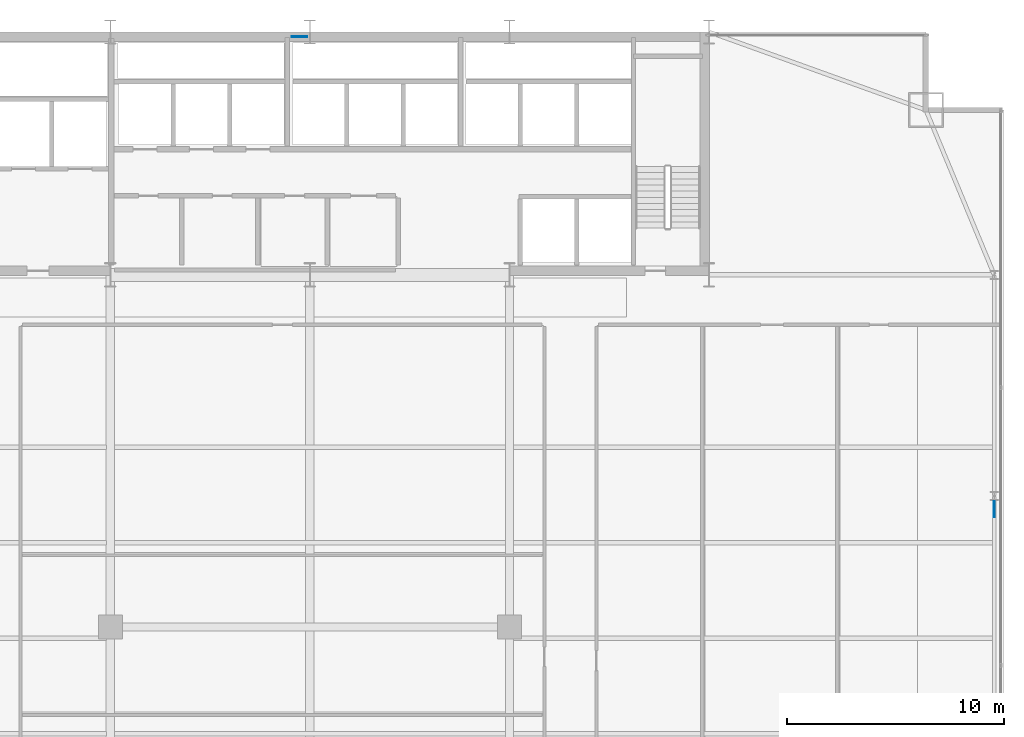
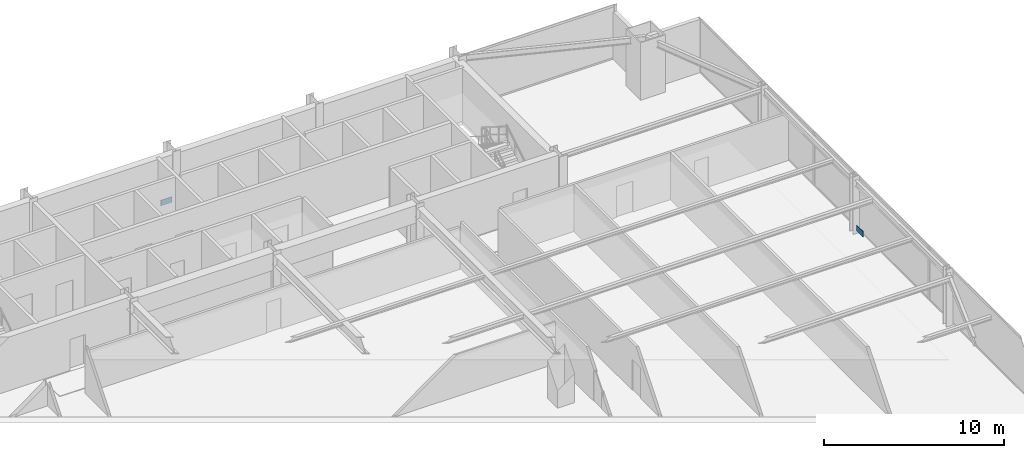
# One storey, part 27 of 32: 2 plates.
"""IFC4 building model written with IfcOpenShell, lengths in metres."""

import ifcopenshell
import ifcopenshell.guid

model = None  # the IFC model being written
_history = None  # IfcOwnerHistory: only IFC2X3 demands one
_inside = {}  # id of a spatial element -> (the spatial element, [elements in it])
_under = {}  # id of a project, library or spatial element -> (it, [spatial elements below it])
_declared = {}  # id of a project -> (the project, [libraries it declares])
_typed = {}  # id of a type object -> (the type object, [elements of that type])
_made_of = {}  # id of a material, layer set ... -> (it, [elements and type objects made of it])


def new_model(schema):
    """Start an empty IFC model of exactly this schema.

    Asked for "IFC4X3", IfcOpenShell would pick the latest addendum, in which some entities
    have other attributes; the version numbers below select the first issue.
    IFC2X3 requires an IfcOwnerHistory on every rooted entity: one is made here for all.
    """
    global model, _history
    if schema == "IFC4X3":
        model = ifcopenshell.file(schema_version=(4, 3, 0, 0))
    else:
        model = ifcopenshell.file(schema=schema)
    _inside.clear()
    _under.clear()
    _declared.clear()
    _typed.clear()
    _made_of.clear()
    _history = None
    if model.schema == "IFC2X3":
        org = make("IfcOrganization", Name="unknown")
        user = make(
            "IfcPersonAndOrganization",
            ThePerson=make("IfcPerson", FamilyName="unknown"),
            TheOrganization=org,
        )
        app = make(
            "IfcApplication",
            ApplicationDeveloper=org,
            Version="unknown",
            ApplicationFullName="unknown",
            ApplicationIdentifier="unknown",
        )
        _history = make(
            "IfcOwnerHistory",
            OwningUser=user,
            OwningApplication=app,
            ChangeAction="ADDED",
            CreationDate=0,
        )
    return model


def make(cls, **values):
    """One entity of the class cls with the attributes given. An attribute that is None is left unset."""
    return model.create_entity(
        cls, **{name: value for name, value in values.items() if value is not None}
    )


def rooted(cls, **values):
    """An entity with a GlobalId (a new one), such as an element, a storey or a relation."""
    return make(cls, GlobalId=ifcopenshell.guid.new(), OwnerHistory=_history, **values)


def si_unit(unit_type, name, prefix=None):
    """IfcSIUnit, for example si_unit("LENGTHUNIT", "METRE", prefix="MILLI")."""
    return make("IfcSIUnit", UnitType=unit_type, Prefix=prefix, Name=name)


def assignment(units):
    """IfcUnitAssignment: the units of a project."""
    return None if units is None else make("IfcUnitAssignment", Units=units)


def point(xyz):
    """IfcCartesianPoint."""
    return None if xyz is None else make("IfcCartesianPoint", Coordinates=xyz)


def direction(xyz):
    """IfcDirection."""
    return None if xyz is None else make("IfcDirection", DirectionRatios=xyz)


def frame(location, z_axis=None, x_axis=None):
    """IfcAxis2Placement3D, a coordinate frame: its origin and axes. An axis left out is left unset."""
    return make(
        "IfcAxis2Placement3D",
        Location=point(location),
        Axis=direction(z_axis),
        RefDirection=direction(x_axis),
    )


def frame_2d(location, x_axis=None):
    """IfcAxis2Placement2D, a coordinate frame in the plane: its origin and x axis."""
    return make(
        "IfcAxis2Placement2D", Location=point(location), RefDirection=direction(x_axis)
    )


def origin():
    """The frame at (0, 0, 0) with its axes left unset."""
    return frame((0.0, 0.0, 0.0))


def origin_2d():
    """The frame at (0, 0) in the plane with its x axis left unset."""
    return frame_2d((0.0, 0.0))


def place(relative_to, where):
    """IfcLocalPlacement: puts the frame where relative to a parent placement (None: the world)."""
    return make(
        "IfcLocalPlacement", PlacementRelTo=relative_to, RelativePlacement=where
    )


def context(
    kind, dimensions, precision=None, world=None, true_north=None, identifier=None
):
    """IfcGeometricRepresentationContext, for example the 3D "Model" context."""
    return make(
        "IfcGeometricRepresentationContext",
        ContextIdentifier=identifier,
        ContextType=kind,
        CoordinateSpaceDimension=dimensions,
        Precision=precision,
        WorldCoordinateSystem=world,
        TrueNorth=true_north,
    )


def subcontext(parent, identifier, kind, view, scale=None):
    """IfcGeometricRepresentationSubContext, for example "Body" below "Model"."""
    return make(
        "IfcGeometricRepresentationSubContext",
        ContextIdentifier=identifier,
        ContextType=kind,
        ParentContext=parent,
        TargetScale=scale,
        TargetView=view,
    )


def project(units=None, contexts=None):
    """IfcProject with its units and contexts."""
    return rooted(
        "IfcProject",
        Name="project",
        RepresentationContexts=contexts,
        UnitsInContext=assignment(units),
    )


def spatial(cls, under=None, at=None, **own):
    """A site, building, storey or space (cls), placed at a placement, below another one or the project."""
    s = rooted(cls, ObjectPlacement=at, **own)
    if under is not None:
        _under.setdefault(under.id(), (under, []))[1].append(s)
    return s


def profile(cls, at=None, kind="AREA", **sizes):
    """A parametric profile (cls). Its sizes go by their IFC names, for example OverallWidth=200.0."""
    return make(cls, ProfileType=kind, Position=at, **sizes)


def rectangle(**sizes):
    """IfcRectangleProfileDef."""
    return profile("IfcRectangleProfileDef", **sizes)


def extrude(swept, where, along, depth):
    """IfcExtrudedAreaSolid: the profile swept, set in the frame where, extruded along a direction by depth."""
    return make(
        "IfcExtrudedAreaSolid",
        SweptArea=swept,
        Position=where,
        ExtrudedDirection=direction(along),
        Depth=depth,
    )


def shape(context_of_items, identifier, shape_type, items):
    """IfcShapeRepresentation: the items that make up one representation, for example the "Body"."""
    return make(
        "IfcShapeRepresentation",
        ContextOfItems=context_of_items,
        RepresentationIdentifier=identifier,
        RepresentationType=shape_type,
        Items=items,
    )


def source(mapping_origin, context_of_items, identifier, shape_type, items):
    """IfcRepresentationMap: a shape defined once, which mapped items show again and again."""
    return make(
        "IfcRepresentationMap",
        MappingOrigin=mapping_origin,
        MappedRepresentation=shape(context_of_items, identifier, shape_type, items),
    )


def transform(
    local_origin,
    x_axis=None,
    y_axis=None,
    z_axis=None,
    scale=None,
    scale2=None,
    scale3=None,
    uniform=True,
):
    """IfcCartesianTransformationOperator3D, or its non-uniform kind. x_axis, y_axis, z_axis: its Axis1, 2, 3."""
    if uniform:
        return make(
            "IfcCartesianTransformationOperator3D",
            Axis1=direction(x_axis),
            Axis2=direction(y_axis),
            LocalOrigin=point(local_origin),
            Scale=scale,
            Axis3=direction(z_axis),
        )
    return make(
        "IfcCartesianTransformationOperator3DnonUniform",
        Axis1=direction(x_axis),
        Axis2=direction(y_axis),
        LocalOrigin=point(local_origin),
        Scale=scale,
        Axis3=direction(z_axis),
        Scale2=scale2,
        Scale3=scale3,
    )


def mapped(mapping_source, mapping_target):
    """IfcMappedItem: shows the shape of a source again, moved by a transform."""
    return make(
        "IfcMappedItem", MappingSource=mapping_source, MappingTarget=mapping_target
    )


def material(Name=None, Category=None):
    """IfcMaterial."""
    return make("IfcMaterial", Name=Name, Category=Category)


def layer(
    of_material, thickness, ventilated=None, Name=None, Category=None, Priority=None
):
    """IfcMaterialLayer: one layer of a wall or slab, of a material (None: an air gap)."""
    return make(
        "IfcMaterialLayer",
        Material=of_material,
        LayerThickness=thickness,
        IsVentilated=ventilated,
        Name=Name,
        Category=Category,
        Priority=Priority,
    )


def layer_set(layers, Name=None):
    """IfcMaterialLayerSet."""
    return make("IfcMaterialLayerSet", MaterialLayers=layers, LayerSetName=Name)


def made_of(thing, what):
    """Note that an element or type object is made of a material, layer set ...; save() writes the relation."""
    if what is not None:
        _made_of.setdefault(what.id(), (what, []))[1].append(thing)
    return thing


def type_object(cls, material=None, **own):
    """A type object (cls), such as IfcWallType, which elements share."""
    return made_of(rooted(cls, **own), material)


def type_shapes(of_type, sources):
    """Give a type object the sources (RepresentationMaps) that its elements show as mapped items."""
    of_type.RepresentationMaps = sources


def element(
    cls,
    number,
    at=None,
    inside=None,
    cuts=None,
    type_object=None,
    material=None,
    context=None,
    identifier="Body",
    shape_type=None,
    held_by="IfcProductDefinitionShape",
    body=None,
    shapes=None,
    **own,
):
    """One element of the class cls, such as IfcWall. Its Tag is "e" and its number.

    at: its placement. inside: the storey or other place that contains it. cuts: it is an
    opening in that element (IfcRelVoidsElement). A single representation is given by context,
    identifier, shape_type and body (its items); several are given by shapes. held_by: the class
    of the entity that holds the representations. save() writes the other relations.
    """
    e = rooted(cls, Tag="e%d" % number, ObjectPlacement=at, **own)
    if body is not None:
        shapes = [shape(context, identifier, shape_type, body)]
    if shapes is not None:
        e.Representation = make(held_by, Representations=shapes)
    if inside is not None:
        _inside.setdefault(inside.id(), (inside, []))[1].append(e)
    if cuts is not None:
        rooted(
            "IfcRelVoidsElement", RelatingBuildingElement=cuts, RelatedOpeningElement=e
        )
    if type_object is not None:
        _typed.setdefault(type_object.id(), (type_object, []))[1].append(e)
    return made_of(e, material)


def aggregate(whole, parts):
    """IfcRelAggregates: a whole, such as a stair, and the parts it consists of."""
    return rooted("IfcRelAggregates", RelatingObject=whole, RelatedObjects=parts)


def save(model, path):
    """Write the relations noted so far, then the file.

    IfcRelAggregates (storeys below a building ...), IfcRelContainedInSpatialStructure (elements
    in a storey), IfcRelDefinesByType, IfcRelAssociatesMaterial and IfcRelDeclares: one each for
    every whole, place, type object, material and project.
    """
    for whole, parts in _under.values():
        aggregate(whole, parts)
    for where, things in _inside.values():
        rooted(
            "IfcRelContainedInSpatialStructure",
            RelatedElements=things,
            RelatingStructure=where,
        )
    for kind, things in _typed.values():
        rooted("IfcRelDefinesByType", RelatedObjects=things, RelatingType=kind)
    for what, things in _made_of.values():
        rooted("IfcRelAssociatesMaterial", RelatedObjects=things, RelatingMaterial=what)
    for by, libraries in _declared.values():
        rooted("IfcRelDeclares", RelatingContext=by, RelatedDefinitions=libraries)
    model.write(path)


model = new_model("IFC4")

# Units and contexts
model_context = context("Model", 3, precision=1e-05, world=origin(), true_north=direction((0.0, 1.0)))
body_context = subcontext(model_context, "Body", "Model", "MODEL_VIEW")
ifc_project = project(units=[si_unit("LENGTHUNIT", "METRE"), si_unit("AREAUNIT", "SQUARE_METRE"), si_unit("VOLUMEUNIT", "CUBIC_METRE"), si_unit("PLANEANGLEUNIT", "RADIAN"), si_unit("MASSUNIT", "GRAM", prefix="KILO")], contexts=[model_context])

# Site, building, storey
site_placement = place(None, origin())
site = spatial("IfcSite", under=ifc_project, at=site_placement, CompositionType="ELEMENT")
building_placement = place(site_placement, origin())
building = spatial("IfcBuilding", under=site, at=building_placement, Name="Varnel Quay Broadcast Tower", CompositionType="ELEMENT")
storey_placement = place(building_placement, frame((0.0, 0.0, 70.5)))
storey = spatial("IfcBuildingStorey", under=building, at=storey_placement, Name="L16", CompositionType="ELEMENT", Elevation=70.5)

# Plates
ifc_material = material(Name="Structural Steel CSA G40.21 350WT", Category="steel")
ifc_layer = layer(ifc_material, 0.031982421875, Name="Structural Steel CSA G40.21 350WT")
ifc_layer_set = layer_set([ifc_layer], Name="Structural Steel CSA G40.21 350WT")
plate_type = type_object("IfcPlateType", Name="Plate_EndCap", PredefinedType="USERDEFINED", material=ifc_layer_set)
shared_shape = source(origin(), body_context, "Body", "SweptSolid", [
    extrude(rectangle(XDim=0.719970703125, YDim=0.031982421875, at=origin_2d()), origin(), (0.0, 0.0, 1.0), 0.3798828125),
])
type_shapes(plate_type, [shared_shape])
for number, where, z_axis, x_axis, name in (
    (1, (33.523193359375, 46.580078125, 0.2470703125), (0.0, 0.0, 1.0), (1.0, 0.0, 0.0), "Zone 1 Mega-Brace N-CT3 Diag B2 End Connection Plate P0"),
    (2, (65.550048828125, 24.79541015625, 0.214599609375), (0.0, 0.0, 1.0), (0.0, 1.0, 0.0), "Zone 1 Mega-Brace E-FT3 Diag B2 End Connection Plate P0"),
):
    element("IfcPlate", number, at=place(storey_placement, frame(where, z_axis=z_axis, x_axis=x_axis)), inside=storey, type_object=plate_type, Name=name, ObjectType="CAP_PLATE", PredefinedType="USERDEFINED", context=body_context, shape_type="MappedRepresentation", body=[
        mapped(shared_shape, transform((0.0, 0.0, 0.0), x_axis=(1.0, 0.0, 0.0), y_axis=(0.0, 1.0, 0.0), z_axis=(0.0, 0.0, 1.0), scale=1.0)),
    ])

save(model, "model.ifc")
